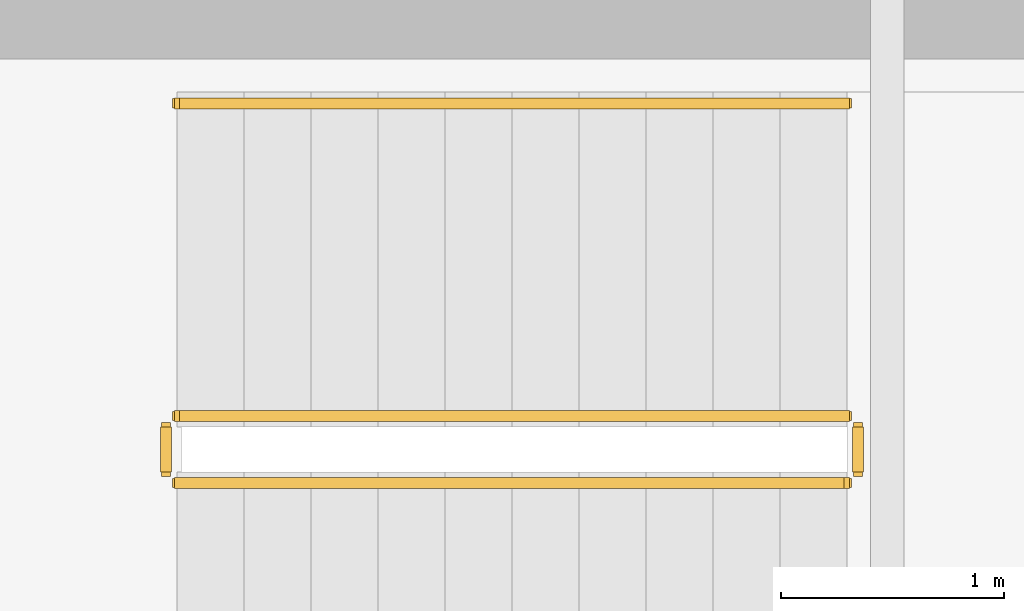
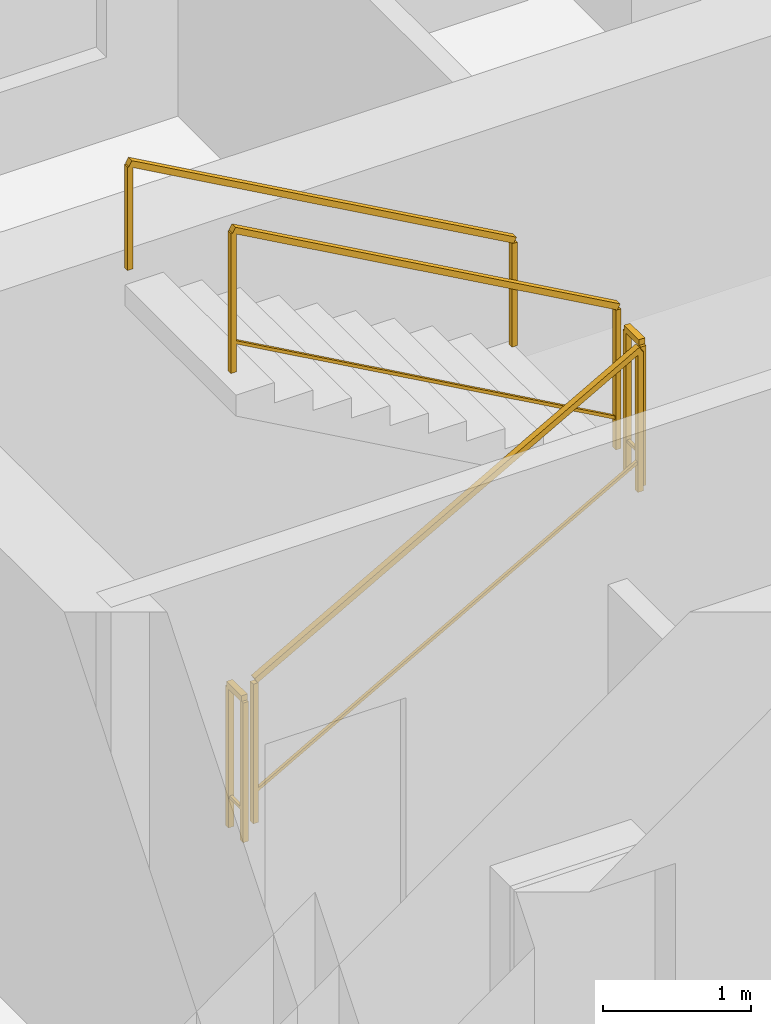
# One storey, part 11 of 11: 5 railings.
"""IFC4 building model written with IfcOpenShell, lengths in metres."""

import ifcopenshell
import ifcopenshell.guid

model = None  # the IFC model being written
_history = None  # IfcOwnerHistory: only IFC2X3 demands one
_inside = {}  # id of a spatial element -> (the spatial element, [elements in it])
_under = {}  # id of a project, library or spatial element -> (it, [spatial elements below it])
_declared = {}  # id of a project -> (the project, [libraries it declares])
_typed = {}  # id of a type object -> (the type object, [elements of that type])
_made_of = {}  # id of a material, layer set ... -> (it, [elements and type objects made of it])


def new_model(schema):
    """Start an empty IFC model of exactly this schema.

    Asked for "IFC4X3", IfcOpenShell would pick the latest addendum, in which some entities
    have other attributes; the version numbers below select the first issue.
    IFC2X3 requires an IfcOwnerHistory on every rooted entity: one is made here for all.
    """
    global model, _history
    if schema == "IFC4X3":
        model = ifcopenshell.file(schema_version=(4, 3, 0, 0))
    else:
        model = ifcopenshell.file(schema=schema)
    _inside.clear()
    _under.clear()
    _declared.clear()
    _typed.clear()
    _made_of.clear()
    _history = None
    if model.schema == "IFC2X3":
        org = make("IfcOrganization", Name="unknown")
        user = make(
            "IfcPersonAndOrganization",
            ThePerson=make("IfcPerson", FamilyName="unknown"),
            TheOrganization=org,
        )
        app = make(
            "IfcApplication",
            ApplicationDeveloper=org,
            Version="unknown",
            ApplicationFullName="unknown",
            ApplicationIdentifier="unknown",
        )
        _history = make(
            "IfcOwnerHistory",
            OwningUser=user,
            OwningApplication=app,
            ChangeAction="ADDED",
            CreationDate=0,
        )
    return model


def make(cls, **values):
    """One entity of the class cls with the attributes given. An attribute that is None is left unset."""
    return model.create_entity(
        cls, **{name: value for name, value in values.items() if value is not None}
    )


def rooted(cls, **values):
    """An entity with a GlobalId (a new one), such as an element, a storey or a relation."""
    return make(cls, GlobalId=ifcopenshell.guid.new(), OwnerHistory=_history, **values)


def si_unit(unit_type, name, prefix=None):
    """IfcSIUnit, for example si_unit("LENGTHUNIT", "METRE", prefix="MILLI")."""
    return make("IfcSIUnit", UnitType=unit_type, Prefix=prefix, Name=name)


def assignment(units):
    """IfcUnitAssignment: the units of a project."""
    return None if units is None else make("IfcUnitAssignment", Units=units)


def point(xyz):
    """IfcCartesianPoint."""
    return None if xyz is None else make("IfcCartesianPoint", Coordinates=xyz)


def direction(xyz):
    """IfcDirection."""
    return None if xyz is None else make("IfcDirection", DirectionRatios=xyz)


def frame(location, z_axis=None, x_axis=None):
    """IfcAxis2Placement3D, a coordinate frame: its origin and axes. An axis left out is left unset."""
    return make(
        "IfcAxis2Placement3D",
        Location=point(location),
        Axis=direction(z_axis),
        RefDirection=direction(x_axis),
    )


def frame_2d(location, x_axis=None):
    """IfcAxis2Placement2D, a coordinate frame in the plane: its origin and x axis."""
    return make(
        "IfcAxis2Placement2D", Location=point(location), RefDirection=direction(x_axis)
    )


def origin():
    """The frame at (0, 0, 0) with its axes left unset."""
    return frame((0.0, 0.0, 0.0))


def origin_2d():
    """The frame at (0, 0) in the plane with its x axis left unset."""
    return frame_2d((0.0, 0.0))


def place(relative_to, where):
    """IfcLocalPlacement: puts the frame where relative to a parent placement (None: the world)."""
    return make(
        "IfcLocalPlacement", PlacementRelTo=relative_to, RelativePlacement=where
    )


def context(
    kind, dimensions, precision=None, world=None, true_north=None, identifier=None
):
    """IfcGeometricRepresentationContext, for example the 3D "Model" context."""
    return make(
        "IfcGeometricRepresentationContext",
        ContextIdentifier=identifier,
        ContextType=kind,
        CoordinateSpaceDimension=dimensions,
        Precision=precision,
        WorldCoordinateSystem=world,
        TrueNorth=true_north,
    )


def subcontext(parent, identifier, kind, view, scale=None):
    """IfcGeometricRepresentationSubContext, for example "Body" below "Model"."""
    return make(
        "IfcGeometricRepresentationSubContext",
        ContextIdentifier=identifier,
        ContextType=kind,
        ParentContext=parent,
        TargetScale=scale,
        TargetView=view,
    )


def project(units=None, contexts=None):
    """IfcProject with its units and contexts."""
    return rooted(
        "IfcProject",
        Name="project",
        RepresentationContexts=contexts,
        UnitsInContext=assignment(units),
    )


def spatial(cls, under=None, at=None, **own):
    """A site, building, storey or space (cls), placed at a placement, below another one or the project."""
    s = rooted(cls, ObjectPlacement=at, **own)
    if under is not None:
        _under.setdefault(under.id(), (under, []))[1].append(s)
    return s


def profile(cls, at=None, kind="AREA", **sizes):
    """A parametric profile (cls). Its sizes go by their IFC names, for example OverallWidth=200.0."""
    return make(cls, ProfileType=kind, Position=at, **sizes)


def rectangle(**sizes):
    """IfcRectangleProfileDef."""
    return profile("IfcRectangleProfileDef", **sizes)


def extrude(swept, where, along, depth):
    """IfcExtrudedAreaSolid: the profile swept, set in the frame where, extruded along a direction by depth."""
    return make(
        "IfcExtrudedAreaSolid",
        SweptArea=swept,
        Position=where,
        ExtrudedDirection=direction(along),
        Depth=depth,
    )


def shape(context_of_items, identifier, shape_type, items):
    """IfcShapeRepresentation: the items that make up one representation, for example the "Body"."""
    return make(
        "IfcShapeRepresentation",
        ContextOfItems=context_of_items,
        RepresentationIdentifier=identifier,
        RepresentationType=shape_type,
        Items=items,
    )


def material(Name=None, Category=None):
    """IfcMaterial."""
    return make("IfcMaterial", Name=Name, Category=Category)


def made_of(thing, what):
    """Note that an element or type object is made of a material, layer set ...; save() writes the relation."""
    if what is not None:
        _made_of.setdefault(what.id(), (what, []))[1].append(thing)
    return thing


def type_object(cls, material=None, **own):
    """A type object (cls), such as IfcWallType, which elements share."""
    return made_of(rooted(cls, **own), material)


def element(
    cls,
    number,
    at=None,
    inside=None,
    cuts=None,
    type_object=None,
    material=None,
    context=None,
    identifier="Body",
    shape_type=None,
    held_by="IfcProductDefinitionShape",
    body=None,
    shapes=None,
    **own,
):
    """One element of the class cls, such as IfcWall. Its Tag is "e" and its number.

    at: its placement. inside: the storey or other place that contains it. cuts: it is an
    opening in that element (IfcRelVoidsElement). A single representation is given by context,
    identifier, shape_type and body (its items); several are given by shapes. held_by: the class
    of the entity that holds the representations. save() writes the other relations.
    """
    e = rooted(cls, Tag="e%d" % number, ObjectPlacement=at, **own)
    if body is not None:
        shapes = [shape(context, identifier, shape_type, body)]
    if shapes is not None:
        e.Representation = make(held_by, Representations=shapes)
    if inside is not None:
        _inside.setdefault(inside.id(), (inside, []))[1].append(e)
    if cuts is not None:
        rooted(
            "IfcRelVoidsElement", RelatingBuildingElement=cuts, RelatedOpeningElement=e
        )
    if type_object is not None:
        _typed.setdefault(type_object.id(), (type_object, []))[1].append(e)
    return made_of(e, material)


def aggregate(whole, parts):
    """IfcRelAggregates: a whole, such as a stair, and the parts it consists of."""
    return rooted("IfcRelAggregates", RelatingObject=whole, RelatedObjects=parts)


def save(model, path):
    """Write the relations noted so far, then the file.

    IfcRelAggregates (storeys below a building ...), IfcRelContainedInSpatialStructure (elements
    in a storey), IfcRelDefinesByType, IfcRelAssociatesMaterial and IfcRelDeclares: one each for
    every whole, place, type object, material and project.
    """
    for whole, parts in _under.values():
        aggregate(whole, parts)
    for where, things in _inside.values():
        rooted(
            "IfcRelContainedInSpatialStructure",
            RelatedElements=things,
            RelatingStructure=where,
        )
    for kind, things in _typed.values():
        rooted("IfcRelDefinesByType", RelatedObjects=things, RelatingType=kind)
    for what, things in _made_of.values():
        rooted("IfcRelAssociatesMaterial", RelatedObjects=things, RelatingMaterial=what)
    for by, libraries in _declared.values():
        rooted("IfcRelDeclares", RelatingContext=by, RelatedDefinitions=libraries)
    model.write(path)


model = new_model("IFC4")

# Units and contexts
model_context = context("Model", 3, precision=1e-05, world=origin(), true_north=direction((0.0, 1.0)))
body_context = subcontext(model_context, "Body", "Model", "MODEL_VIEW")
ifc_project = project(units=[si_unit("LENGTHUNIT", "METRE"), si_unit("AREAUNIT", "SQUARE_METRE"), si_unit("VOLUMEUNIT", "CUBIC_METRE"), si_unit("PLANEANGLEUNIT", "RADIAN"), si_unit("MASSUNIT", "GRAM", prefix="KILO")], contexts=[model_context])

# Site, building, storey
site_placement = place(None, origin())
site = spatial("IfcSite", under=ifc_project, at=site_placement, CompositionType="ELEMENT")
building_placement = place(site_placement, origin())
building = spatial("IfcBuilding", under=site, at=building_placement, Name="Svetorya Sky Lyceum", CompositionType="ELEMENT")
storey_placement = place(building_placement, frame((0.0, 0.0, 36.199951171875)))
storey = spatial("IfcBuildingStorey", under=building, at=storey_placement, Name="L08", CompositionType="ELEMENT", Elevation=36.199951171875)

# Railings
ifc_material_1 = material(Name="Painted galvanized stair well guard")
railing_type_1 = type_object("IfcRailingType", Name="RL-STR-GUARD-1200", PredefinedType="GUARDRAIL", material=ifc_material_1)
railing_1_placement = place(storey_placement, frame((27.699951171875, 43.60009765625, 0.168212890625)))
element("IfcRailing", 1, at=railing_1_placement, inside=storey, type_object=railing_type_1, Name="L08 ST-N stair guard 1", PredefinedType="GUARDRAIL", context=body_context, shape_type="SweptSolid", body=[
    extrude(rectangle(XDim=0.048095703125, YDim=0.048095703125, at=origin_2d()), frame((0.0, 0.0, 1.17578125), z_axis=(0.872272294576, 0.0, 0.489020494575), x_axis=(0.0, 1.0, 0.0)), (0.0, 0.0, 1.0), 3.439208984375),
    extrude(rectangle(XDim=0.02392578125, YDim=0.02392578125, at=origin_2d()), frame((0.0, 0.0, 0.25), z_axis=(0.872272294576, 0.0, 0.489020494575), x_axis=(0.0, 1.0, 0.0)), (0.0, 0.0, 1.0), 3.439208984375),
    extrude(rectangle(XDim=0.0419921875, YDim=0.0419921875, at=origin_2d()), origin(), (0.0, 0.0, 1.0), 1.15185546875),
    extrude(rectangle(XDim=0.0419921875, YDim=0.0419921875, at=origin_2d()), frame((3.0, 0.0, 1.681884765625)), (0.0, 0.0, 1.0), 1.15185546875),
])
railing_2_placement = place(storey_placement, frame((30.75, 43.64990234375, 1.85009765625)))
element("IfcRailing", 2, at=railing_2_placement, inside=storey, type_object=railing_type_1, Name="L08 ST-N stair guard 2", PredefinedType="GUARDRAIL", context=body_context, shape_type="SweptSolid", body=[
    extrude(rectangle(XDim=0.048095703125, YDim=0.048095703125, at=origin_2d()), frame((0.0, 0.0, 1.17578125), z_axis=(0.0, 1.0, 0.0), x_axis=(-1.0, 0.0, 0.0)), (0.0, 0.0, 1.0), 0.2001953125),
    extrude(rectangle(XDim=0.02392578125, YDim=0.02392578125, at=origin_2d()), frame((0.0, 0.0, 0.25), z_axis=(0.0, 1.0, 0.0), x_axis=(-1.0, 0.0, 0.0)), (0.0, 0.0, 1.0), 0.2001953125),
    extrude(rectangle(XDim=0.0419921875, YDim=0.0419921875, at=origin_2d()), origin(), (0.0, 0.0, 1.0), 1.15185546875),
    extrude(rectangle(XDim=0.0419921875, YDim=0.0419921875, at=origin_2d()), frame((0.0, 0.2001953125, 0.0)), (0.0, 0.0, 1.0), 1.15185546875),
])
railing_3_placement = place(storey_placement, frame((30.699951171875, 43.89990234375, 2.018310546875)))
element("IfcRailing", 3, at=railing_3_placement, inside=storey, type_object=railing_type_1, Name="L08 ST-N stair guard 3", PredefinedType="GUARDRAIL", context=body_context, shape_type="SweptSolid", body=[
    extrude(rectangle(XDim=0.048095703125, YDim=0.048095703125, at=origin_2d()), frame((0.0, 0.0, 1.17578125), z_axis=(-0.872302573547, 0.0, 0.488966481656), x_axis=(0.0, -1.0, 0.0)), (0.0, 0.0, 1.0), 3.439208984375),
    extrude(rectangle(XDim=0.02392578125, YDim=0.02392578125, at=origin_2d()), frame((0.0, 0.0, 0.25), z_axis=(-0.872302573547, 0.0, 0.488966481656), x_axis=(0.0, -1.0, 0.0)), (0.0, 0.0, 1.0), 3.439208984375),
    extrude(rectangle(XDim=0.0419921875, YDim=0.0419921875, at=origin_2d()), origin(), (0.0, 0.0, 1.0), 1.15185546875),
    extrude(rectangle(XDim=0.0419921875, YDim=0.0419921875, at=origin_2d()), frame((-3.0, 0.0, 1.681640625)), (0.0, 0.0, 1.0), 1.15185546875),
])
railing_4_placement = place(storey_placement, frame((27.64990234375, 43.64990234375, 0.0)))
element("IfcRailing", 4, at=railing_4_placement, inside=storey, type_object=railing_type_1, Name="L08 ST-N stair guard 4", PredefinedType="GUARDRAIL", context=body_context, shape_type="SweptSolid", body=[
    extrude(rectangle(XDim=0.048095703125, YDim=0.048095703125, at=origin_2d()), frame((0.0, 0.0, 1.17578125), z_axis=(0.0, 1.0, 0.0), x_axis=(-1.0, 0.0, 0.0)), (0.0, 0.0, 1.0), 0.2001953125),
    extrude(rectangle(XDim=0.02392578125, YDim=0.02392578125, at=origin_2d()), frame((0.0, 0.0, 0.25), z_axis=(0.0, 1.0, 0.0), x_axis=(-1.0, 0.0, 0.0)), (0.0, 0.0, 1.0), 0.2001953125),
    extrude(rectangle(XDim=0.0419921875, YDim=0.0419921875, at=origin_2d()), origin(), (0.0, 0.0, 1.0), 1.15185546875),
    extrude(rectangle(XDim=0.0419921875, YDim=0.0419921875, at=origin_2d()), frame((0.0, 0.2001953125, 0.0)), (0.0, 0.0, 1.0), 1.15185546875),
])
ifc_material_2 = material(Name="Brushed stainless AISI 304 stair handrail")
railing_type_2 = type_object("IfcRailingType", Name="RL-STR-HAND-920", PredefinedType="HANDRAIL", material=ifc_material_2)
railing_5_placement = place(storey_placement, frame((30.699951171875, 45.300048828125, 2.018310546875)))
element("IfcRailing", 5, at=railing_5_placement, inside=storey, type_object=railing_type_2, Name="L08 ST-N stair handrail 2", PredefinedType="HANDRAIL", context=body_context, shape_type="SweptSolid", body=[
    extrude(rectangle(XDim=0.048095703125, YDim=0.048095703125, at=origin_2d()), frame((0.0, 0.0, 0.8759765625), z_axis=(-0.872302573547, 0.0, 0.488966481656), x_axis=(0.0, -1.0, 0.0)), (0.0, 0.0, 1.0), 3.439208984375),
    extrude(rectangle(XDim=0.0419921875, YDim=0.0419921875, at=origin_2d()), origin(), (0.0, 0.0, 1.0), 0.851806640625),
    extrude(rectangle(XDim=0.0419921875, YDim=0.0419921875, at=origin_2d()), frame((-3.0, 0.0, 1.681640625)), (0.0, 0.0, 1.0), 0.851806640625),
])

save(model, "model.ifc")
